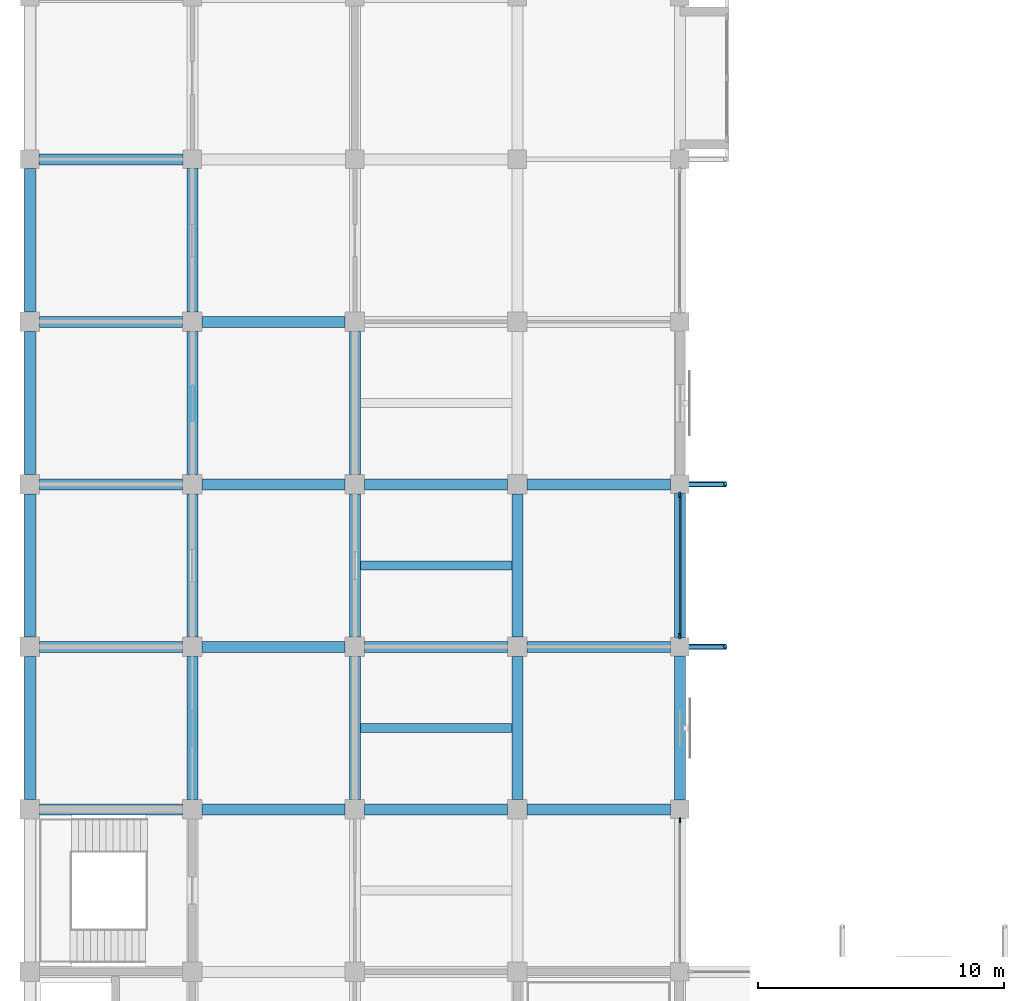
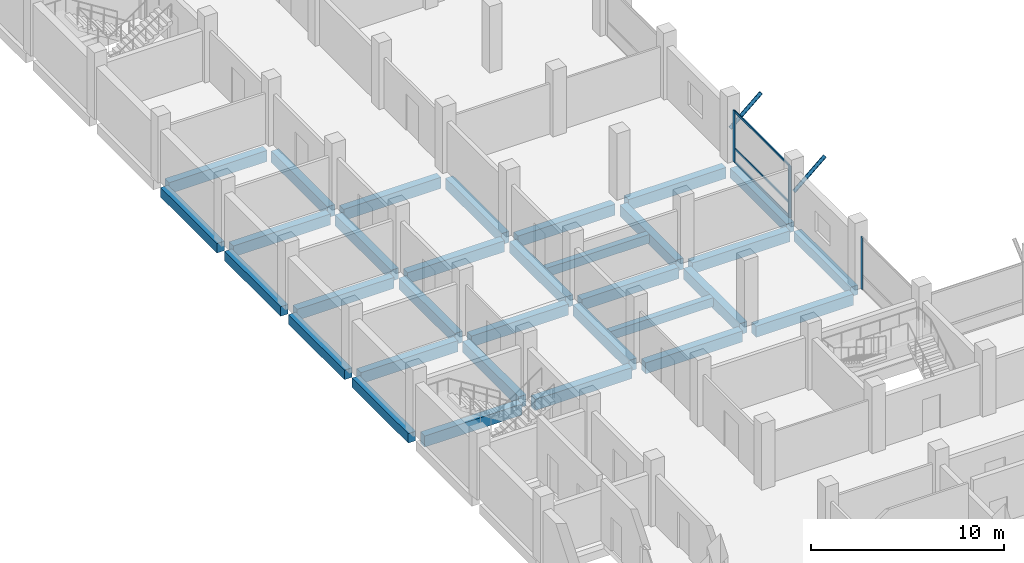
# One storey, part 4 of 18: 32 beams, 8 members, 2 elements without a shape of their own.
"""IFC4 building model written with IfcOpenShell, lengths in metres."""

import ifcopenshell
import ifcopenshell.guid

model = None  # the IFC model being written
_history = None  # IfcOwnerHistory: only IFC2X3 demands one
_inside = {}  # id of a spatial element -> (the spatial element, [elements in it])
_under = {}  # id of a project, library or spatial element -> (it, [spatial elements below it])
_declared = {}  # id of a project -> (the project, [libraries it declares])
_typed = {}  # id of a type object -> (the type object, [elements of that type])
_made_of = {}  # id of a material, layer set ... -> (it, [elements and type objects made of it])


def new_model(schema):
    """Start an empty IFC model of exactly this schema.

    Asked for "IFC4X3", IfcOpenShell would pick the latest addendum, in which some entities
    have other attributes; the version numbers below select the first issue.
    IFC2X3 requires an IfcOwnerHistory on every rooted entity: one is made here for all.
    """
    global model, _history
    if schema == "IFC4X3":
        model = ifcopenshell.file(schema_version=(4, 3, 0, 0))
    else:
        model = ifcopenshell.file(schema=schema)
    _inside.clear()
    _under.clear()
    _declared.clear()
    _typed.clear()
    _made_of.clear()
    _history = None
    if model.schema == "IFC2X3":
        org = make("IfcOrganization", Name="unknown")
        user = make(
            "IfcPersonAndOrganization",
            ThePerson=make("IfcPerson", FamilyName="unknown"),
            TheOrganization=org,
        )
        app = make(
            "IfcApplication",
            ApplicationDeveloper=org,
            Version="unknown",
            ApplicationFullName="unknown",
            ApplicationIdentifier="unknown",
        )
        _history = make(
            "IfcOwnerHistory",
            OwningUser=user,
            OwningApplication=app,
            ChangeAction="ADDED",
            CreationDate=0,
        )
    return model


def make(cls, **values):
    """One entity of the class cls with the attributes given. An attribute that is None is left unset."""
    return model.create_entity(
        cls, **{name: value for name, value in values.items() if value is not None}
    )


def rooted(cls, **values):
    """An entity with a GlobalId (a new one), such as an element, a storey or a relation."""
    return make(cls, GlobalId=ifcopenshell.guid.new(), OwnerHistory=_history, **values)


def si_unit(unit_type, name, prefix=None):
    """IfcSIUnit, for example si_unit("LENGTHUNIT", "METRE", prefix="MILLI")."""
    return make("IfcSIUnit", UnitType=unit_type, Prefix=prefix, Name=name)


def assignment(units):
    """IfcUnitAssignment: the units of a project."""
    return None if units is None else make("IfcUnitAssignment", Units=units)


def point(xyz):
    """IfcCartesianPoint."""
    return None if xyz is None else make("IfcCartesianPoint", Coordinates=xyz)


def direction(xyz):
    """IfcDirection."""
    return None if xyz is None else make("IfcDirection", DirectionRatios=xyz)


def frame(location, z_axis=None, x_axis=None):
    """IfcAxis2Placement3D, a coordinate frame: its origin and axes. An axis left out is left unset."""
    return make(
        "IfcAxis2Placement3D",
        Location=point(location),
        Axis=direction(z_axis),
        RefDirection=direction(x_axis),
    )


def frame_2d(location, x_axis=None):
    """IfcAxis2Placement2D, a coordinate frame in the plane: its origin and x axis."""
    return make(
        "IfcAxis2Placement2D", Location=point(location), RefDirection=direction(x_axis)
    )


def origin():
    """The frame at (0, 0, 0) with its axes left unset."""
    return frame((0.0, 0.0, 0.0))


def origin_2d():
    """The frame at (0, 0) in the plane with its x axis left unset."""
    return frame_2d((0.0, 0.0))


def place(relative_to, where):
    """IfcLocalPlacement: puts the frame where relative to a parent placement (None: the world)."""
    return make(
        "IfcLocalPlacement", PlacementRelTo=relative_to, RelativePlacement=where
    )


def context(
    kind, dimensions, precision=None, world=None, true_north=None, identifier=None
):
    """IfcGeometricRepresentationContext, for example the 3D "Model" context."""
    return make(
        "IfcGeometricRepresentationContext",
        ContextIdentifier=identifier,
        ContextType=kind,
        CoordinateSpaceDimension=dimensions,
        Precision=precision,
        WorldCoordinateSystem=world,
        TrueNorth=true_north,
    )


def subcontext(parent, identifier, kind, view, scale=None):
    """IfcGeometricRepresentationSubContext, for example "Body" below "Model"."""
    return make(
        "IfcGeometricRepresentationSubContext",
        ContextIdentifier=identifier,
        ContextType=kind,
        ParentContext=parent,
        TargetScale=scale,
        TargetView=view,
    )


def project(units=None, contexts=None):
    """IfcProject with its units and contexts."""
    return rooted(
        "IfcProject",
        Name="project",
        RepresentationContexts=contexts,
        UnitsInContext=assignment(units),
    )


def spatial(cls, under=None, at=None, **own):
    """A site, building, storey or space (cls), placed at a placement, below another one or the project."""
    s = rooted(cls, ObjectPlacement=at, **own)
    if under is not None:
        _under.setdefault(under.id(), (under, []))[1].append(s)
    return s


def profile(cls, at=None, kind="AREA", **sizes):
    """A parametric profile (cls). Its sizes go by their IFC names, for example OverallWidth=200.0."""
    return make(cls, ProfileType=kind, Position=at, **sizes)


def rectangle(**sizes):
    """IfcRectangleProfileDef."""
    return profile("IfcRectangleProfileDef", **sizes)


def hollow_circle(**sizes):
    """IfcCircleHollowProfileDef."""
    return profile("IfcCircleHollowProfileDef", **sizes)


def extrude(swept, where, along, depth):
    """IfcExtrudedAreaSolid: the profile swept, set in the frame where, extruded along a direction by depth."""
    return make(
        "IfcExtrudedAreaSolid",
        SweptArea=swept,
        Position=where,
        ExtrudedDirection=direction(along),
        Depth=depth,
    )


def shape(context_of_items, identifier, shape_type, items):
    """IfcShapeRepresentation: the items that make up one representation, for example the "Body"."""
    return make(
        "IfcShapeRepresentation",
        ContextOfItems=context_of_items,
        RepresentationIdentifier=identifier,
        RepresentationType=shape_type,
        Items=items,
    )


def material(Name=None, Category=None):
    """IfcMaterial."""
    return make("IfcMaterial", Name=Name, Category=Category)


def material_profile(
    of_material, cross_section, Name=None, Category=None, Priority=None
):
    """IfcMaterialProfile: a cross section and its material."""
    return make(
        "IfcMaterialProfile",
        Name=Name,
        Material=of_material,
        Profile=cross_section,
        Priority=Priority,
        Category=Category,
    )


def profile_set(profiles, Name=None, composite=None):
    """IfcMaterialProfileSet."""
    return make(
        "IfcMaterialProfileSet",
        Name=Name,
        MaterialProfiles=profiles,
        CompositeProfile=composite,
    )


def made_of(thing, what):
    """Note that an element or type object is made of a material, layer set ...; save() writes the relation."""
    if what is not None:
        _made_of.setdefault(what.id(), (what, []))[1].append(thing)
    return thing


def type_object(cls, material=None, **own):
    """A type object (cls), such as IfcWallType, which elements share."""
    return made_of(rooted(cls, **own), material)


def element(
    cls,
    number,
    at=None,
    inside=None,
    cuts=None,
    type_object=None,
    material=None,
    context=None,
    identifier="Body",
    shape_type=None,
    held_by="IfcProductDefinitionShape",
    body=None,
    shapes=None,
    **own,
):
    """One element of the class cls, such as IfcWall. Its Tag is "e" and its number.

    at: its placement. inside: the storey or other place that contains it. cuts: it is an
    opening in that element (IfcRelVoidsElement). A single representation is given by context,
    identifier, shape_type and body (its items); several are given by shapes. held_by: the class
    of the entity that holds the representations. save() writes the other relations.
    """
    e = rooted(cls, Tag="e%d" % number, ObjectPlacement=at, **own)
    if body is not None:
        shapes = [shape(context, identifier, shape_type, body)]
    if shapes is not None:
        e.Representation = make(held_by, Representations=shapes)
    if inside is not None:
        _inside.setdefault(inside.id(), (inside, []))[1].append(e)
    if cuts is not None:
        rooted(
            "IfcRelVoidsElement", RelatingBuildingElement=cuts, RelatedOpeningElement=e
        )
    if type_object is not None:
        _typed.setdefault(type_object.id(), (type_object, []))[1].append(e)
    return made_of(e, material)


def aggregate(whole, parts):
    """IfcRelAggregates: a whole, such as a stair, and the parts it consists of."""
    return rooted("IfcRelAggregates", RelatingObject=whole, RelatedObjects=parts)


def save(model, path):
    """Write the relations noted so far, then the file.

    IfcRelAggregates (storeys below a building ...), IfcRelContainedInSpatialStructure (elements
    in a storey), IfcRelDefinesByType, IfcRelAssociatesMaterial and IfcRelDeclares: one each for
    every whole, place, type object, material and project.
    """
    for whole, parts in _under.values():
        aggregate(whole, parts)
    for where, things in _inside.values():
        rooted(
            "IfcRelContainedInSpatialStructure",
            RelatedElements=things,
            RelatingStructure=where,
        )
    for kind, things in _typed.values():
        rooted("IfcRelDefinesByType", RelatedObjects=things, RelatingType=kind)
    for what, things in _made_of.values():
        rooted("IfcRelAssociatesMaterial", RelatedObjects=things, RelatingMaterial=what)
    for by, libraries in _declared.values():
        rooted("IfcRelDeclares", RelatingContext=by, RelatedDefinitions=libraries)
    model.write(path)


model = new_model("IFC4")

# Units and contexts
model_context = context("Model", 3, precision=1e-05, world=origin(), true_north=direction((0.0, 1.0)))
body_context = subcontext(model_context, "Body", "Model", "MODEL_VIEW")
ifc_project = project(units=[si_unit("LENGTHUNIT", "METRE"), si_unit("AREAUNIT", "SQUARE_METRE"), si_unit("VOLUMEUNIT", "CUBIC_METRE"), si_unit("PLANEANGLEUNIT", "RADIAN"), si_unit("MASSUNIT", "GRAM", prefix="KILO")], contexts=[model_context])

# Site, building, storey
site_placement = place(None, origin())
site = spatial("IfcSite", under=ifc_project, at=site_placement, CompositionType="ELEMENT")
building_placement = place(site_placement, origin())
building = spatial("IfcBuilding", under=site, at=building_placement, Name="Rusizi Kubbe Research Institute", CompositionType="ELEMENT")
storey_placement = place(building_placement, frame((0.0, 0.0, 22.800048828125)))
storey = spatial("IfcBuildingStorey", under=building, at=storey_placement, Name="L05", CompositionType="ELEMENT", Elevation=22.800048828125)

# Beams
ifc_material_1 = material(Name="Concrete C40/50", Category="concrete")
ifc_material_profile_1 = material_profile(ifc_material_1, rectangle(XDim=0.35009765625, YDim=0.550048828125, at=origin_2d()), Name="RC350x550")
ifc_profile_set_1 = profile_set([ifc_material_profile_1], Name="Concrete C40/50")
beam_type_1 = type_object("IfcBeamType", Name="BM-RC350x550", PredefinedType="JOIST", material=ifc_profile_set_1)
for number, where, z_axis, x_axis, name in (
    (1, (13.425048828125, 36.300048828125, -0.614990234375), (1.0, 0.0, 0.0), (0.0, 1.0, 0.0), "Lab Stiffener Joist L05 (2,5)"),
    (2, (13.425048828125, 42.89990234375, -0.614990234375), (1.0, 0.0, 0.0), (0.0, 1.0, 0.0), "Lab Stiffener Joist L05 (2,6)"),
):
    element("IfcBeam", number, at=place(storey_placement, frame(where, z_axis=z_axis, x_axis=x_axis)), inside=storey, type_object=beam_type_1, Name=name, PredefinedType="JOIST", context=body_context, shape_type="SweptSolid", body=[
        extrude(rectangle(XDim=0.35009765625, YDim=0.550048828125, at=origin_2d()), origin(), (0.0, 0.0, 1.0), 6.14990234375),
    ])
ifc_material_2 = material(Name="Concrete C40/50", Category="concrete")
ifc_material_profile_2 = material_profile(ifc_material_2, rectangle(XDim=0.449951171875, YDim=0.60009765625, at=origin_2d()), Name="RC450x600")
ifc_profile_set_2 = profile_set([ifc_material_profile_2], Name="Concrete C40/50")
beam_type_2 = type_object("IfcBeamType", Name="BM-RC450x600", PredefinedType="SPANDREL", material=ifc_profile_set_2)
for number, where, z_axis, x_axis, name in (
    (3, (0.0, 33.39990234375, -0.64013671875), (0.0, 1.0, 0.0), (-1.0, 0.0, 0.0), "Grid Beam V L05 (0,5)"),
    (4, (0.0, 40.0, -0.64013671875), (0.0, 1.0, 0.0), (-1.0, 0.0, 0.0), "Grid Beam V L05 (0,6)"),
):
    element("IfcBeam", number, at=place(storey_placement, frame(where, z_axis=z_axis, x_axis=x_axis)), inside=storey, type_object=beam_type_2, Name=name, PredefinedType="SPANDREL", context=body_context, shape_type="SweptSolid", body=[
        extrude(rectangle(XDim=0.449951171875, YDim=0.60009765625, at=origin_2d()), origin(), (0.0, 0.0, 1.0), 5.800048828125),
    ])
beam_1_placement = place(storey_placement, frame((0.0, 46.60009765625, -0.64013671875), z_axis=(0.0, 1.0, 0.0), x_axis=(-1.0, 0.0, 0.0)))
element("IfcBeam", 5, at=beam_1_placement, inside=storey, type_object=beam_type_2, Name="Grid Beam V L05 (0,7)", PredefinedType="SPANDREL", context=body_context, shape_type="SweptSolid", body=[
    extrude(rectangle(XDim=0.449951171875, YDim=0.60009765625, at=origin_2d()), origin(), (0.0, 0.0, 1.0), 5.7998046875),
])
beam_2_placement = place(storey_placement, frame((0.0, 53.199951171875, -0.64013671875), z_axis=(0.0, 1.0, 0.0), x_axis=(-1.0, 0.0, 0.0)))
element("IfcBeam", 6, at=beam_2_placement, inside=storey, type_object=beam_type_2, Name="Grid Beam V L05 (0,8)", PredefinedType="SPANDREL", context=body_context, shape_type="SweptSolid", body=[
    extrude(rectangle(XDim=0.449951171875, YDim=0.60009765625, at=origin_2d()), origin(), (0.0, 0.0, 1.0), 5.824951171875),
])
beam_3_placement = place(storey_placement, frame((26.39990234375, 33.375, -0.64013671875), z_axis=(0.0, 1.0, 0.0), x_axis=(-1.0, 0.0, 0.0)))
element("IfcBeam", 7, at=beam_3_placement, inside=storey, type_object=beam_type_2, Name="Grid Beam V L05 (4,5)", PredefinedType="SPANDREL", context=body_context, shape_type="SweptSolid", body=[
    extrude(rectangle(XDim=0.449951171875, YDim=0.60009765625, at=origin_2d()), origin(), (0.0, 0.0, 1.0), 5.85009765625),
])
beam_4_placement = place(storey_placement, frame((26.39990234375, 39.97509765625, -0.64013671875), z_axis=(0.0, 1.0, 0.0), x_axis=(-1.0, 0.0, 0.0)))
element("IfcBeam", 8, at=beam_4_placement, inside=storey, type_object=beam_type_2, Name="Grid Beam V L05 (4,6)", PredefinedType="SPANDREL", context=body_context, shape_type="SweptSolid", body=[
    extrude(rectangle(XDim=0.449951171875, YDim=0.60009765625, at=origin_2d()), origin(), (0.0, 0.0, 1.0), 5.849853515625),
])
ifc_material_3 = material(Name="Concrete C40/50", Category="concrete")
ifc_material_profile_3 = material_profile(ifc_material_3, rectangle(XDim=0.449951171875, YDim=0.699951171875, at=origin_2d()), Name="RC450x700B")
ifc_profile_set_3 = profile_set([ifc_material_profile_3], Name="Concrete C40/50")
beam_type_3 = type_object("IfcBeamType", Name="BM-RC450x700", PredefinedType="BEAM", material=ifc_profile_set_3)
for number, where, z_axis, x_axis, name in (
    (9, (0.39990234375, 33.0, -0.68994140625), (1.0, 0.0, 0.0), (0.0, 1.0, 0.0), "Grid Beam H L05 (0,5)"),
    (10, (0.39990234375, 39.60009765625, -0.68994140625), (1.0, 0.0, 0.0), (0.0, 1.0, 0.0), "Grid Beam H L05 (0,6)"),
    (11, (0.39990234375, 46.199951171875, -0.68994140625), (1.0, 0.0, 0.0), (0.0, 1.0, 0.0), "Grid Beam H L05 (0,7)"),
    (12, (0.39990234375, 52.800048828125, -0.68994140625), (1.0, 0.0, 0.0), (0.0, 1.0, 0.0), "Grid Beam H L05 (0,8)"),
):
    element("IfcBeam", number, at=place(storey_placement, frame(where, z_axis=z_axis, x_axis=x_axis)), inside=storey, type_object=beam_type_3, Name=name, PredefinedType="BEAM", context=body_context, shape_type="SweptSolid", body=[
        extrude(rectangle(XDim=0.449951171875, YDim=0.699951171875, at=origin_2d()), origin(), (0.0, 0.0, 1.0), 5.800048828125),
    ])
beam_5_placement = place(storey_placement, frame((0.375, 59.39990234375, -0.68994140625), z_axis=(1.0, 0.0, 0.0), x_axis=(0.0, 1.0, 0.0)))
element("IfcBeam", 13, at=beam_5_placement, inside=storey, type_object=beam_type_3, Name="Grid Beam H L05 (0,9)", PredefinedType="BEAM", context=body_context, shape_type="SweptSolid", body=[
    extrude(rectangle(XDim=0.449951171875, YDim=0.699951171875, at=origin_2d()), origin(), (0.0, 0.0, 1.0), 5.85009765625),
])
for number, where, z_axis, x_axis, name in (
    (14, (7.0, 33.0, -0.68994140625), (1.0, 0.0, 0.0), (0.0, 1.0, 0.0), "Grid Beam H L05 (1,5)"),
    (15, (7.0, 39.60009765625, -0.68994140625), (1.0, 0.0, 0.0), (0.0, 1.0, 0.0), "Grid Beam H L05 (1,6)"),
    (16, (7.0, 46.199951171875, -0.68994140625), (1.0, 0.0, 0.0), (0.0, 1.0, 0.0), "Grid Beam H L05 (1,7)"),
    (17, (7.0, 52.800048828125, -0.68994140625), (1.0, 0.0, 0.0), (0.0, 1.0, 0.0), "Grid Beam H L05 (1,8)"),
):
    element("IfcBeam", number, at=place(storey_placement, frame(where, z_axis=z_axis, x_axis=x_axis)), inside=storey, type_object=beam_type_3, Name=name, PredefinedType="BEAM", context=body_context, shape_type="SweptSolid", body=[
        extrude(rectangle(XDim=0.449951171875, YDim=0.699951171875, at=origin_2d()), origin(), (0.0, 0.0, 1.0), 5.800048828125),
    ])
for number, where, z_axis, x_axis, name in (
    (18, (13.60009765625, 33.0, -0.68994140625), (1.0, 0.0, 0.0), (0.0, 1.0, 0.0), "Grid Beam H L05 (2,5)"),
    (19, (13.60009765625, 39.60009765625, -0.68994140625), (1.0, 0.0, 0.0), (0.0, 1.0, 0.0), "Grid Beam H L05 (2,6)"),
    (20, (13.60009765625, 46.199951171875, -0.68994140625), (1.0, 0.0, 0.0), (0.0, 1.0, 0.0), "Grid Beam H L05 (2,7)"),
):
    element("IfcBeam", number, at=place(storey_placement, frame(where, z_axis=z_axis, x_axis=x_axis)), inside=storey, type_object=beam_type_3, Name=name, PredefinedType="BEAM", context=body_context, shape_type="SweptSolid", body=[
        extrude(rectangle(XDim=0.449951171875, YDim=0.699951171875, at=origin_2d()), origin(), (0.0, 0.0, 1.0), 5.7998046875),
    ])
for number, where, z_axis, x_axis, name in (
    (21, (20.199951171875, 33.0, -0.68994140625), (1.0, 0.0, 0.0), (0.0, 1.0, 0.0), "Grid Beam H L05 (3,5)"),
    (22, (20.199951171875, 39.60009765625, -0.68994140625), (1.0, 0.0, 0.0), (0.0, 1.0, 0.0), "Grid Beam H L05 (3,6)"),
    (23, (20.199951171875, 46.199951171875, -0.68994140625), (1.0, 0.0, 0.0), (0.0, 1.0, 0.0), "Grid Beam H L05 (3,7)"),
):
    element("IfcBeam", number, at=place(storey_placement, frame(where, z_axis=z_axis, x_axis=x_axis)), inside=storey, type_object=beam_type_3, Name=name, PredefinedType="BEAM", context=body_context, shape_type="SweptSolid", body=[
        extrude(rectangle(XDim=0.449951171875, YDim=0.699951171875, at=origin_2d()), origin(), (0.0, 0.0, 1.0), 5.824951171875),
    ])
for number, where, z_axis, x_axis, name in (
    (24, (6.60009765625, 33.39990234375, -0.68994140625), (0.0, 1.0, 0.0), (-1.0, 0.0, 0.0), "Grid Beam V L05 (1,5)"),
    (25, (6.60009765625, 40.0, -0.68994140625), (0.0, 1.0, 0.0), (-1.0, 0.0, 0.0), "Grid Beam V L05 (1,6)"),
):
    element("IfcBeam", number, at=place(storey_placement, frame(where, z_axis=z_axis, x_axis=x_axis)), inside=storey, type_object=beam_type_3, Name=name, PredefinedType="BEAM", context=body_context, shape_type="SweptSolid", body=[
        extrude(rectangle(XDim=0.449951171875, YDim=0.699951171875, at=origin_2d()), origin(), (0.0, 0.0, 1.0), 5.800048828125),
    ])
beam_6_placement = place(storey_placement, frame((6.60009765625, 46.60009765625, -0.68994140625), z_axis=(0.0, 1.0, 0.0), x_axis=(-1.0, 0.0, 0.0)))
element("IfcBeam", 26, at=beam_6_placement, inside=storey, type_object=beam_type_3, Name="Grid Beam V L05 (1,7)", PredefinedType="BEAM", context=body_context, shape_type="SweptSolid", body=[
    extrude(rectangle(XDim=0.449951171875, YDim=0.699951171875, at=origin_2d()), origin(), (0.0, 0.0, 1.0), 5.7998046875),
])
beam_7_placement = place(storey_placement, frame((6.60009765625, 53.199951171875, -0.68994140625), z_axis=(0.0, 1.0, 0.0), x_axis=(-1.0, 0.0, 0.0)))
element("IfcBeam", 27, at=beam_7_placement, inside=storey, type_object=beam_type_3, Name="Grid Beam V L05 (1,8)", PredefinedType="BEAM", context=body_context, shape_type="SweptSolid", body=[
    extrude(rectangle(XDim=0.449951171875, YDim=0.699951171875, at=origin_2d()), origin(), (0.0, 0.0, 1.0), 5.824951171875),
])
for number, where, z_axis, x_axis, name in (
    (28, (13.199951171875, 33.39990234375, -0.68994140625), (0.0, 1.0, 0.0), (-1.0, 0.0, 0.0), "Grid Beam V L05 (2,5)"),
    (29, (13.199951171875, 40.0, -0.68994140625), (0.0, 1.0, 0.0), (-1.0, 0.0, 0.0), "Grid Beam V L05 (2,6)"),
):
    element("IfcBeam", number, at=place(storey_placement, frame(where, z_axis=z_axis, x_axis=x_axis)), inside=storey, type_object=beam_type_3, Name=name, PredefinedType="BEAM", context=body_context, shape_type="SweptSolid", body=[
        extrude(rectangle(XDim=0.449951171875, YDim=0.699951171875, at=origin_2d()), origin(), (0.0, 0.0, 1.0), 5.800048828125),
    ])
beam_8_placement = place(storey_placement, frame((13.199951171875, 46.60009765625, -0.68994140625), z_axis=(0.0, 1.0, 0.0), x_axis=(-1.0, 0.0, 0.0)))
element("IfcBeam", 30, at=beam_8_placement, inside=storey, type_object=beam_type_3, Name="Grid Beam V L05 (2,7)", PredefinedType="BEAM", context=body_context, shape_type="SweptSolid", body=[
    extrude(rectangle(XDim=0.449951171875, YDim=0.699951171875, at=origin_2d()), origin(), (0.0, 0.0, 1.0), 5.7998046875),
])
for number, where, z_axis, x_axis, name in (
    (31, (19.800048828125, 33.39990234375, -0.68994140625), (0.0, 1.0, 0.0), (-1.0, 0.0, 0.0), "Grid Beam V L05 (3,5)"),
    (32, (19.800048828125, 40.0, -0.68994140625), (0.0, 1.0, 0.0), (-1.0, 0.0, 0.0), "Grid Beam V L05 (3,6)"),
):
    element("IfcBeam", number, at=place(storey_placement, frame(where, z_axis=z_axis, x_axis=x_axis)), inside=storey, type_object=beam_type_3, Name=name, PredefinedType="BEAM", context=body_context, shape_type="SweptSolid", body=[
        extrude(rectangle(XDim=0.449951171875, YDim=0.699951171875, at=origin_2d()), origin(), (0.0, 0.0, 1.0), 5.800048828125),
    ])

# Members
ifc_material_4 = material(Name="Steel S355", Category="steel")
ifc_material_profile_4 = material_profile(ifc_material_4, hollow_circle(Radius=0.109619140625, WallThickness=0.008056640625, at=origin_2d()), Name="CHS 219.1x8.0")
ifc_profile_set_4 = profile_set([ifc_material_profile_4], Name="Steel S355")
member_type_1 = type_object("IfcMemberType", Name="MB-CHS219", PredefinedType="BRACE", material=ifc_profile_set_4)
for number, where, z_axis, x_axis, name in (
    (33, (26.39990234375, 39.60009765625, 1.869873046875), (0.756360503059, 0.0, 0.654155019405), (0.0, 1.0, 0.0), "Cumba Diagonal Corbel Brace L06-1S"),
    (34, (26.39990234375, 46.199951171875, 1.869873046875), (0.756360503059, 0.0, 0.654155019405), (0.0, 1.0, 0.0), "Cumba Diagonal Corbel Brace L06-1N"),
):
    element("IfcMember", number, at=place(storey_placement, frame(where, z_axis=z_axis, x_axis=x_axis)), inside=storey, type_object=member_type_1, Name=name, PredefinedType="BRACE", context=body_context, shape_type="SweptSolid", body=[
        extrude(hollow_circle(Radius=0.109619140625, WallThickness=0.008056640625, at=origin_2d()), origin(), (0.0, 0.0, 1.0), 2.446044921875),
    ])

# Curtain wall, member
ifc_material_5 = material(Name="Thermally Broken Aluminium and Low-E Glazing", Category="aluminium")
curtain_wall_type_1 = type_object("IfcCurtainWallType", Name="CW-09", PredefinedType="NOTDEFINED", material=ifc_material_5)
curtain_wall_1_placement = place(storey_placement, origin())
curtain_wall_1 = element("IfcCurtainWall", 35, at=curtain_wall_1_placement, inside=storey, type_object=curtain_wall_type_1, Name="Unitised Facade Curtain Wall CW-L05-V-04-04", PredefinedType="NOTDEFINED")
ifc_material_6 = material(Name="Aluminium Alloy 6063-T6", Category="aluminium")
ifc_material_profile_5 = material_profile(ifc_material_6, rectangle(XDim=0.06494140625, YDim=0.199951171875, at=origin_2d()), Name="ALU-M 65x200")
ifc_profile_set_5 = profile_set([ifc_material_profile_5], Name="Aluminium Alloy 6063-T6")
member_type_2 = type_object("IfcMemberType", Name="ML-03", PredefinedType="MULLION", material=ifc_profile_set_5)
member_1_placement = place(storey_placement, frame((26.39990234375, 32.5625, 0.0), z_axis=(0.0, 0.0, 1.0), x_axis=(-1.0, 0.0, 0.0)))
member_1 = element("IfcMember", 36, at=member_1_placement, type_object=member_type_2, Name="CW-09 mullion 2", PredefinedType="MULLION", context=body_context, shape_type="SweptSolid", body=[
    extrude(rectangle(XDim=0.06494140625, YDim=0.199951171875, at=origin_2d()), origin(), (0.0, 0.0, 1.0), 3.27001953125),
])
aggregate(curtain_wall_1, [member_1])

# Curtain wall, members
ifc_material_7 = material(Name="Thermally Broken Aluminium and Low-E Glazing", Category="aluminium")
curtain_wall_type_2 = type_object("IfcCurtainWallType", Name="CW-08", PredefinedType="NOTDEFINED", material=ifc_material_7)
curtain_wall_2_placement = place(storey_placement, origin())
curtain_wall_2 = element("IfcCurtainWall", 37, at=curtain_wall_2_placement, inside=storey, type_object=curtain_wall_type_2, Name="Unitised Facade Curtain Wall CW-L05-V-04-06", PredefinedType="NOTDEFINED")
ifc_material_8 = material(Name="Aluminium Alloy 6063-T6", Category="aluminium")
ifc_material_profile_6 = material_profile(ifc_material_8, rectangle(XDim=0.070068359375, YDim=0.219970703125, at=origin_2d()), Name="ALU-M 70x220")
ifc_profile_set_6 = profile_set([ifc_material_profile_6], Name="Aluminium Alloy 6063-T6")
member_type_3 = type_object("IfcMemberType", Name="ML-04", PredefinedType="MULLION", material=ifc_profile_set_6)
member_2_placement = place(storey_placement, frame((26.39990234375, 40.0400390625, 0.0), z_axis=(0.0, 0.0, 1.0), x_axis=(-1.0, 0.0, 0.0)))
member_2 = element("IfcMember", 38, at=member_2_placement, type_object=member_type_3, Name="CW-08 mullion 1", PredefinedType="MULLION", context=body_context, shape_type="SweptSolid", body=[
    extrude(rectangle(XDim=0.070068359375, YDim=0.219970703125, at=origin_2d()), origin(), (0.0, 0.0, 1.0), 3.27001953125),
])
member_3_placement = place(storey_placement, frame((26.39990234375, 45.760009765625, 0.0), z_axis=(0.0, 0.0, 1.0), x_axis=(-1.0, 0.0, 0.0)))
member_3 = element("IfcMember", 39, at=member_3_placement, type_object=member_type_3, Name="CW-08 mullion 2", PredefinedType="MULLION", context=body_context, shape_type="SweptSolid", body=[
    extrude(rectangle(XDim=0.070068359375, YDim=0.219970703125, at=origin_2d()), origin(), (0.0, 0.0, 1.0), 3.27001953125),
])
ifc_material_9 = material(Name="Aluminium Alloy 6063-T6", Category="aluminium")
ifc_material_profile_7 = material_profile(ifc_material_9, rectangle(XDim=0.06005859375, YDim=0.139892578125, at=origin_2d()), Name="ALU-T 60x140")
ifc_profile_set_7 = profile_set([ifc_material_profile_7], Name="Aluminium Alloy 6063-T6")
member_type_4 = type_object("IfcMemberType", Name="TR-02", PredefinedType="USERDEFINED", material=ifc_profile_set_7)
member_4_placement = place(storey_placement, frame((26.39990234375, 40.074951171875, 0.030029296875), z_axis=(0.0, 1.0, 0.0), x_axis=(-1.0, 0.0, 0.0)))
member_4 = element("IfcMember", 40, at=member_4_placement, type_object=member_type_4, Name="CW-08 transom 1.1", ObjectType="TRANSOM", PredefinedType="USERDEFINED", context=body_context, shape_type="SweptSolid", body=[
    extrude(rectangle(XDim=0.06005859375, YDim=0.139892578125, at=origin_2d()), origin(), (0.0, 0.0, 1.0), 5.650146484375),
])
member_5_placement = place(storey_placement, frame((26.39990234375, 40.074951171875, 0.89990234375), z_axis=(0.0, 1.0, 0.0), x_axis=(-1.0, 0.0, 0.0)))
member_5 = element("IfcMember", 41, at=member_5_placement, type_object=member_type_4, Name="CW-08 transom 1.2", ObjectType="TRANSOM", PredefinedType="USERDEFINED", context=body_context, shape_type="SweptSolid", body=[
    extrude(rectangle(XDim=0.06005859375, YDim=0.139892578125, at=origin_2d()), origin(), (0.0, 0.0, 1.0), 5.650146484375),
])
member_6_placement = place(storey_placement, frame((26.39990234375, 40.074951171875, 3.239990234375), z_axis=(0.0, 1.0, 0.0), x_axis=(-1.0, 0.0, 0.0)))
member_6 = element("IfcMember", 42, at=member_6_placement, type_object=member_type_4, Name="CW-08 transom 1.3", ObjectType="TRANSOM", PredefinedType="USERDEFINED", context=body_context, shape_type="SweptSolid", body=[
    extrude(rectangle(XDim=0.06005859375, YDim=0.139892578125, at=origin_2d()), origin(), (0.0, 0.0, 1.0), 5.650146484375),
])
aggregate(curtain_wall_2, [member_2, member_3, member_4, member_5, member_6])

save(model, "model.ifc")
